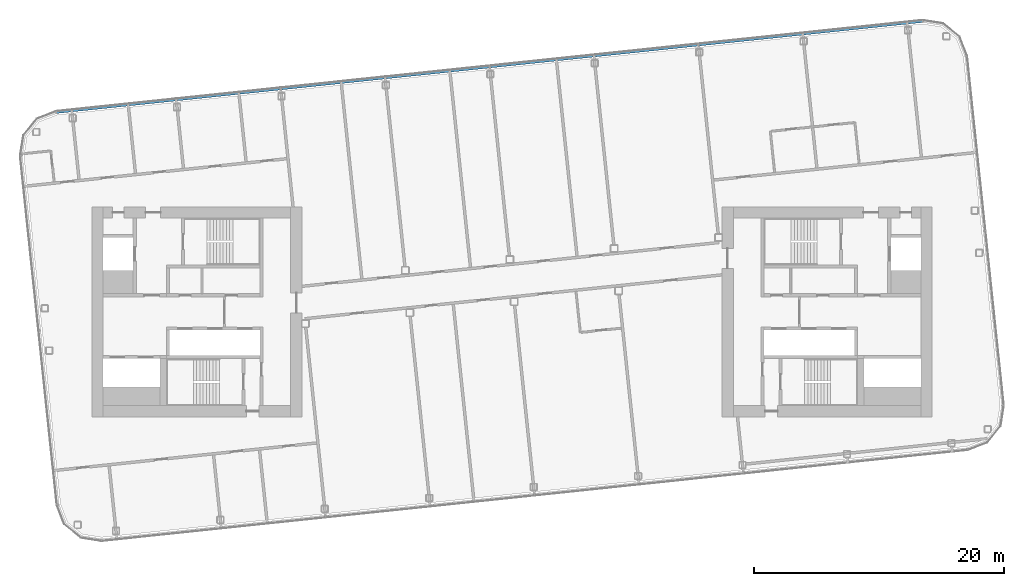
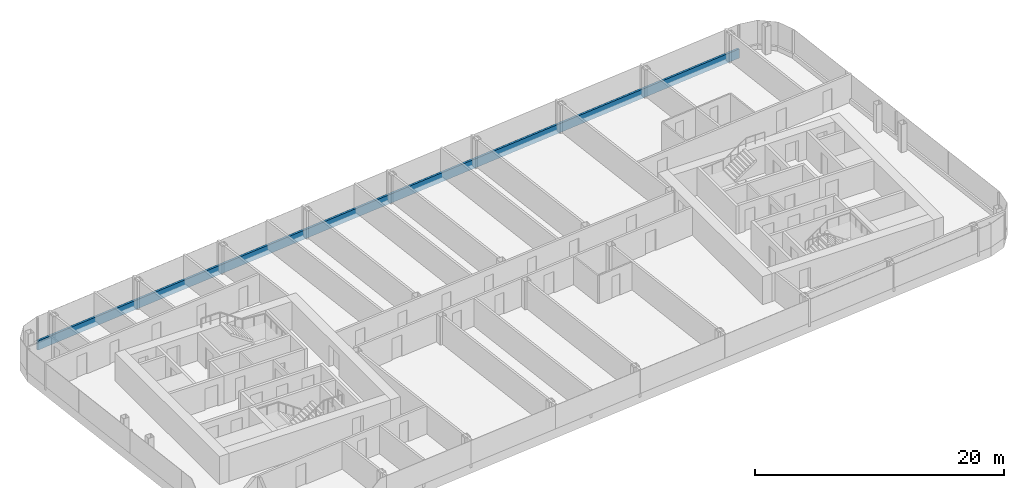
# One storey, part 10 of 26: 1 member, 1 element without a shape of its own.
"""IFC4 building model written with IfcOpenShell, lengths in metres."""

from ifc_helpers import new_model, si_unit, direction, frame, origin, origin_2d, place, context, subcontext, project, spatial, rectangle, extrude, material, layer, layer_set, material_profile, profile_set, type_object, element, aggregate, save


model = new_model("IFC4")

# Units and contexts
model_context = context("Model", 3, precision=1e-05, world=origin(), true_north=direction((0.0, 1.0)))
body_context = subcontext(model_context, "Body", "Model", "MODEL_VIEW")
ifc_project = project(units=[si_unit("LENGTHUNIT", "METRE"), si_unit("AREAUNIT", "SQUARE_METRE"), si_unit("VOLUMEUNIT", "CUBIC_METRE"), si_unit("PLANEANGLEUNIT", "RADIAN"), si_unit("MASSUNIT", "GRAM", prefix="KILO")], contexts=[model_context])

# Site, building, storey
site_placement = place(None, origin())
site = spatial("IfcSite", under=ifc_project, at=site_placement, CompositionType="ELEMENT")
building_placement = place(site_placement, origin())
building = spatial("IfcBuilding", under=site, at=building_placement, Name="Hakoniwa Tower and Hamabe Station Hall", CompositionType="ELEMENT")
storey_placement = place(building_placement, frame((0.0, 0.0, 251.800048828125)))
storey = spatial("IfcBuildingStorey", under=building, at=storey_placement, Name="L71", CompositionType="ELEMENT", Elevation=251.800048828125)

# Curtain wall, member
ifc_material_1 = material(Name="Dark low-e laminated glass", Category="glass")
ifc_layer = layer(ifc_material_1, 0.199951171875)
ifc_layer_set = layer_set([ifc_layer], Name="CW-1 UNITISED GUEST")
curtain_wall_type = type_object("IfcCurtainWallType", Name="CW-1 UNITISED GUEST", PredefinedType="NOTDEFINED", material=ifc_layer_set)
curtain_wall_placement = place(storey_placement, origin())
curtain_wall = element("IfcCurtainWall", 1, at=curtain_wall_placement, inside=storey, type_object=curtain_wall_type, Name="CW-1 curtain wall", PredefinedType="NOTDEFINED")
ifc_material_2 = material(Name="Aluminium 6063-T5 black anodised", Category="aluminium")
ifc_material_profile = material_profile(ifc_material_2, rectangle(XDim=0.199951171875, YDim=0.89990234375, at=origin_2d()), Name="CW SLAB-EDGE BAND 900X200")
ifc_profile_set = profile_set([ifc_material_profile], Name="Aluminium 6063-T5 black anodised")
member_type = type_object("IfcMemberType", Name="CW SLAB-EDGE BAND 900X200", PredefinedType="USERDEFINED", material=ifc_profile_set)
member_placement = place(storey_placement, frame((32.850830078125, 23.24755859375, -0.10009765625), z_axis=(-0.994521894037, -0.10452847593, 0.0), x_axis=(0.10452847593, -0.994521894037, 0.0)))
member = element("IfcMember", 2, at=member_placement, type_object=member_type, Name="CW-1 transom", ObjectType="TRANSOM", PredefinedType="USERDEFINED", context=body_context, shape_type="SweptSolid", body=[
    extrude(rectangle(XDim=0.199951171875, YDim=0.89990234375, at=origin_2d()), origin(), (0.0, 0.0, 1.0), 69.678955078125),
])
aggregate(curtain_wall, [member])

save(model, "model.ifc")
